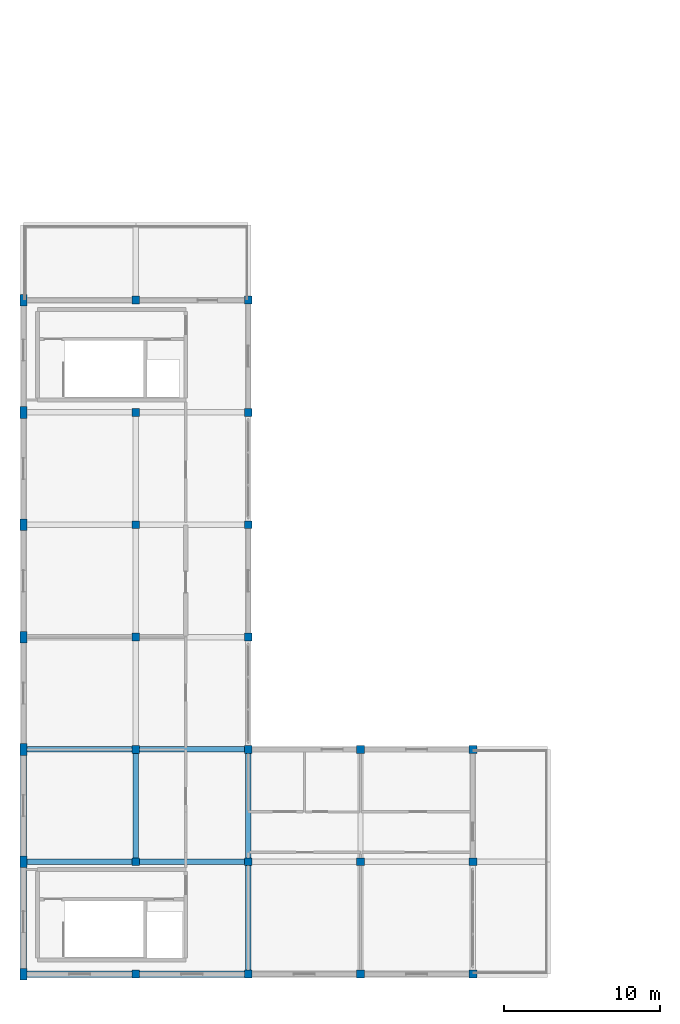
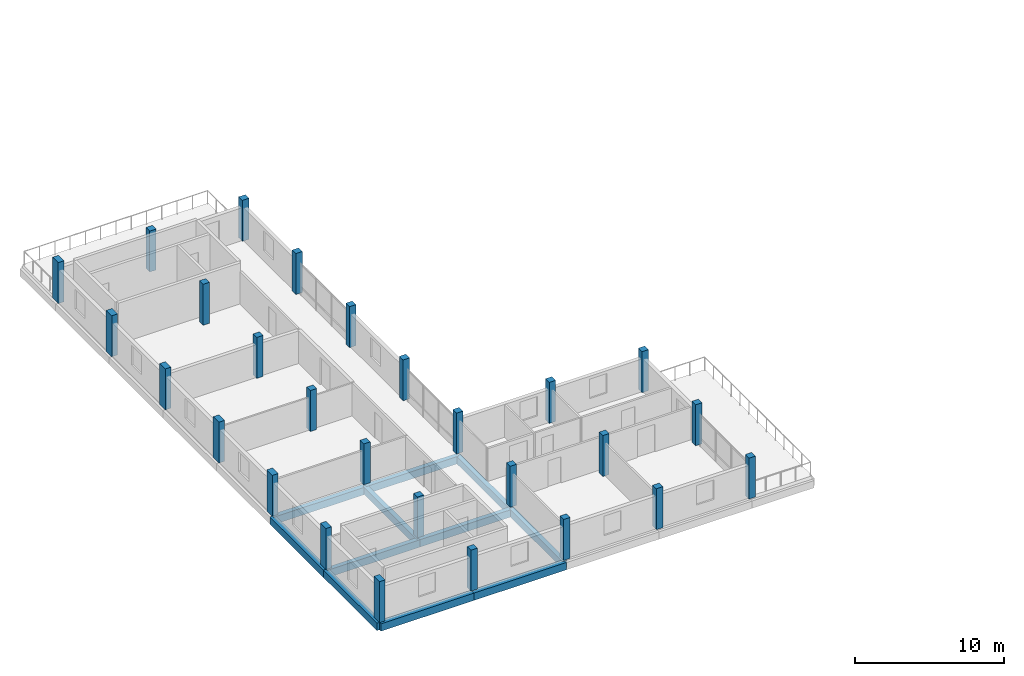
# One storey, part 1 of 18: 27 columns, 11 beams.
"""IFC4 building model written with IfcOpenShell, lengths in metres."""

from ifc_helpers import new_model, si_unit, direction, frame, origin, origin_2d, place, context, subcontext, project, spatial, rectangle, extrude, material, material_profile, profile_set, type_object, element, save


model = new_model("IFC4")

# Units and contexts
model_context = context("Model", 3, precision=1e-05, world=origin(), true_north=direction((0.0, 1.0)))
body_context = subcontext(model_context, "Body", "Model", "MODEL_VIEW")
ifc_project = project(units=[si_unit("LENGTHUNIT", "METRE"), si_unit("AREAUNIT", "SQUARE_METRE"), si_unit("VOLUMEUNIT", "CUBIC_METRE"), si_unit("PLANEANGLEUNIT", "RADIAN"), si_unit("MASSUNIT", "GRAM", prefix="KILO")], contexts=[model_context])

# Site, building, storey
site_placement = place(None, origin())
site = spatial("IfcSite", under=ifc_project, at=site_placement, CompositionType="ELEMENT")
building_placement = place(site_placement, origin())
building = spatial("IfcBuilding", under=site, at=building_placement, Name="Zornivar Specialist Clinic", CompositionType="ELEMENT")
storey_placement = place(building_placement, frame((0.0, 0.0, 23.39990234375)))
storey = spatial("IfcBuildingStorey", under=building, at=storey_placement, Name="L06", CompositionType="ELEMENT", Elevation=23.39990234375)

# Columns
ifc_material_1 = material(Name="Concrete C35/45", Category="concrete")
ifc_material_profile_1 = material_profile(ifc_material_1, rectangle(XDim=0.449951171875, YDim=0.75, at=origin_2d()), Name="RC 450x750")
ifc_profile_set_1 = profile_set([ifc_material_profile_1], Name="Concrete C35/45")
column_type_1 = type_object("IfcColumnType", Name="COL-RC-450x750", PredefinedType="PILASTER", material=ifc_profile_set_1)
for number, where, z_axis, x_axis, name in (
    (1, (0.0, 0.0, 0.0), (0.0, 0.0, 1.0), (1.0, 0.0, 0.0), "col:V2:L06:0_0"),
    (2, (0.0, 7.199951171875, 0.0), (0.0, 0.0, 1.0), (1.0, 0.0, 0.0), "col:V2:L06:0_72"),
    (3, (0.0, 14.39990234375, 0.0), (0.0, 0.0, 1.0), (1.0, 0.0, 0.0), "col:V2:L06:0_144"),
    (4, (0.0, 21.60009765625, 0.0), (0.0, 0.0, 1.0), (1.0, 0.0, 0.0), "col:V2:L06:0_216"),
    (5, (0.0, 28.800048828125, 0.0), (0.0, 0.0, 1.0), (1.0, 0.0, 0.0), "col:V2:L06:0_288"),
    (6, (0.0, 36.0, 0.0), (0.0, 0.0, 1.0), (1.0, 0.0, 0.0), "col:V2:L06:0_360"),
    (7, (0.0, 43.199951171875, 0.0), (0.0, 0.0, 1.0), (1.0, 0.0, 0.0), "col:V2:L06:0_432"),
):
    element("IfcColumn", number, at=place(storey_placement, frame(where, z_axis=z_axis, x_axis=x_axis)), inside=storey, type_object=column_type_1, Name=name, PredefinedType="PILASTER", context=body_context, shape_type="SweptSolid", body=[
        extrude(rectangle(XDim=0.449951171875, YDim=0.75, at=origin_2d()), origin(), (0.0, 0.0, 1.0), 3.360107421875),
    ])
ifc_material_2 = material(Name="Concrete C35/45", Category="concrete")
ifc_material_profile_2 = material_profile(ifc_material_2, rectangle(XDim=0.5, YDim=0.5, at=origin_2d()), Name="RC 500x500")
ifc_profile_set_2 = profile_set([ifc_material_profile_2], Name="Concrete C35/45")
column_type_2 = type_object("IfcColumnType", Name="COL-RC-500", PredefinedType="COLUMN", material=ifc_profile_set_2)
for number, where, z_axis, x_axis, name in (
    (8, (7.199951171875, 0.0, 0.0), (0.0, 0.0, 1.0), (1.0, 0.0, 0.0), "col:V2:L06:72_0"),
    (9, (7.199951171875, 7.199951171875, 0.0), (0.0, 0.0, 1.0), (1.0, 0.0, 0.0), "col:V2:L06:72_72"),
    (10, (7.199951171875, 14.39990234375, 0.0), (0.0, 0.0, 1.0), (1.0, 0.0, 0.0), "col:V2:L06:72_144"),
    (11, (7.199951171875, 21.60009765625, 0.0), (0.0, 0.0, 1.0), (1.0, 0.0, 0.0), "col:V2:L06:72_216"),
    (12, (7.199951171875, 28.800048828125, 0.0), (0.0, 0.0, 1.0), (1.0, 0.0, 0.0), "col:V2:L06:72_288"),
    (13, (7.199951171875, 36.0, 0.0), (0.0, 0.0, 1.0), (1.0, 0.0, 0.0), "col:V2:L06:72_360"),
    (14, (7.199951171875, 43.199951171875, 0.0), (0.0, 0.0, 1.0), (1.0, 0.0, 0.0), "col:V2:L06:72_432"),
    (15, (14.39990234375, 0.0, 0.0), (0.0, 0.0, 1.0), (1.0, 0.0, 0.0), "col:V2:L06:144_0"),
    (16, (14.39990234375, 7.199951171875, 0.0), (0.0, 0.0, 1.0), (1.0, 0.0, 0.0), "col:V2:L06:144_72"),
    (17, (14.39990234375, 14.39990234375, 0.0), (0.0, 0.0, 1.0), (1.0, 0.0, 0.0), "col:V2:L06:144_144"),
    (18, (14.39990234375, 21.60009765625, 0.0), (0.0, 0.0, 1.0), (1.0, 0.0, 0.0), "col:V2:L06:144_216"),
    (19, (14.39990234375, 28.800048828125, 0.0), (0.0, 0.0, 1.0), (1.0, 0.0, 0.0), "col:V2:L06:144_288"),
    (20, (14.39990234375, 36.0, 0.0), (0.0, 0.0, 1.0), (1.0, 0.0, 0.0), "col:V2:L06:144_360"),
    (21, (14.39990234375, 43.199951171875, 0.0), (0.0, 0.0, 1.0), (1.0, 0.0, 0.0), "col:V2:L06:144_432"),
    (22, (21.60009765625, 0.0, 0.0), (0.0, 0.0, 1.0), (1.0, 0.0, 0.0), "col:V2:L06:216_0"),
    (23, (21.60009765625, 7.199951171875, 0.0), (0.0, 0.0, 1.0), (1.0, 0.0, 0.0), "col:V2:L06:216_72"),
    (24, (21.60009765625, 14.39990234375, 0.0), (0.0, 0.0, 1.0), (1.0, 0.0, 0.0), "col:V2:L06:216_144"),
    (25, (28.800048828125, 0.0, 0.0), (0.0, 0.0, 1.0), (1.0, 0.0, 0.0), "col:V2:L06:288_0"),
    (26, (28.800048828125, 7.199951171875, 0.0), (0.0, 0.0, 1.0), (1.0, 0.0, 0.0), "col:V2:L06:288_72"),
    (27, (28.800048828125, 14.39990234375, 0.0), (0.0, 0.0, 1.0), (1.0, 0.0, 0.0), "col:V2:L06:288_144"),
):
    element("IfcColumn", number, at=place(storey_placement, frame(where, z_axis=z_axis, x_axis=x_axis)), inside=storey, type_object=column_type_2, Name=name, PredefinedType="COLUMN", context=body_context, shape_type="SweptSolid", body=[
        extrude(rectangle(XDim=0.5, YDim=0.5, at=origin_2d()), origin(), (0.0, 0.0, 1.0), 3.360107421875),
    ])

# Beams
ifc_material_3 = material(Name="Concrete C30/37", Category="concrete")
ifc_material_profile_3 = material_profile(ifc_material_3, rectangle(XDim=0.35009765625, YDim=0.60009765625, at=origin_2d()), Name="RC 350x600")
ifc_profile_set_3 = profile_set([ifc_material_profile_3], Name="Concrete C30/37")
beam_type_1 = type_object("IfcBeamType", Name="BM-RC-350x600", PredefinedType="BEAM", material=ifc_profile_set_3)
for number, where, z_axis, x_axis, name in (
    (28, (0.0, 7.199951171875, -0.579833984375), (1.0, 0.0, 0.0), (0.0, 1.0, 0.0), "bm:V2:L06:x:72:0"),
    (29, (7.199951171875, 7.199951171875, -0.579833984375), (1.0, 0.0, 0.0), (0.0, 1.0, 0.0), "bm:V2:L06:x:72:1"),
    (30, (0.0, 14.39990234375, -0.579833984375), (1.0, 0.0, 0.0), (0.0, 1.0, 0.0), "bm:V2:L06:x:144:0"),
    (31, (7.199951171875, 14.39990234375, -0.579833984375), (1.0, 0.0, 0.0), (0.0, 1.0, 0.0), "bm:V2:L06:x:144:1"),
    (32, (7.199951171875, 7.199951171875, -0.579833984375), (0.0, 1.0, 0.0), (-1.0, 0.0, 0.0), "bm:V2:L06:y:72:1"),
    (33, (14.39990234375, 0.0, -0.579833984375), (0.0, 1.0, 0.0), (-1.0, 0.0, 0.0), "bm:V2:L06:y:144:0"),
    (34, (14.39990234375, 7.199951171875, -0.579833984375), (0.0, 1.0, 0.0), (-1.0, 0.0, 0.0), "bm:V2:L06:y:144:1"),
):
    element("IfcBeam", number, at=place(storey_placement, frame(where, z_axis=z_axis, x_axis=x_axis)), inside=storey, type_object=beam_type_1, Name=name, PredefinedType="BEAM", context=body_context, shape_type="SweptSolid", body=[
        extrude(rectangle(XDim=0.35009765625, YDim=0.60009765625, at=origin_2d()), origin(), (0.0, 0.0, 1.0), 7.199951171875),
    ])
ifc_material_4 = material(Name="Concrete C30/37", Category="concrete")
ifc_material_profile_4 = material_profile(ifc_material_4, rectangle(XDim=0.409912109375, YDim=0.60009765625, at=origin_2d()), Name="RC 410x600")
ifc_profile_set_4 = profile_set([ifc_material_profile_4], Name="Concrete C30/37")
beam_type_2 = type_object("IfcBeamType", Name="BM-RC-SPANDREL-410x600", PredefinedType="SPANDREL", material=ifc_profile_set_4)
for number, where, z_axis, x_axis, name in (
    (35, (0.0, 0.0, -0.579833984375), (1.0, 0.0, 0.0), (0.0, 1.0, 0.0), "bm:V2:L06:x:0:0"),
    (36, (7.199951171875, 0.0, -0.579833984375), (1.0, 0.0, 0.0), (0.0, 1.0, 0.0), "bm:V2:L06:x:0:1"),
    (37, (0.0, 0.0, -0.579833984375), (0.0, 1.0, 0.0), (-1.0, 0.0, 0.0), "bm:V2:L06:y:0:0"),
    (38, (0.0, 7.199951171875, -0.579833984375), (0.0, 1.0, 0.0), (-1.0, 0.0, 0.0), "bm:V2:L06:y:0:1"),
):
    element("IfcBeam", number, at=place(storey_placement, frame(where, z_axis=z_axis, x_axis=x_axis)), inside=storey, type_object=beam_type_2, Name=name, PredefinedType="SPANDREL", context=body_context, shape_type="SweptSolid", body=[
        extrude(rectangle(XDim=0.409912109375, YDim=0.60009765625, at=origin_2d()), origin(), (0.0, 0.0, 1.0), 7.199951171875),
    ])

save(model, "model.ifc")
